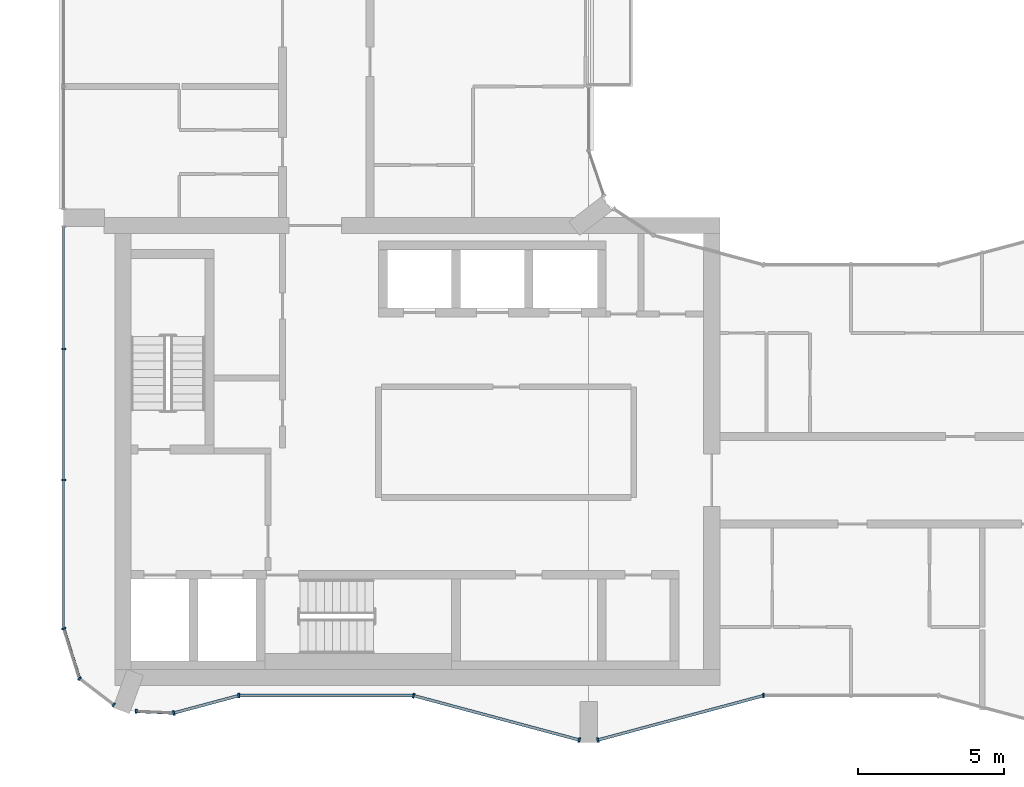
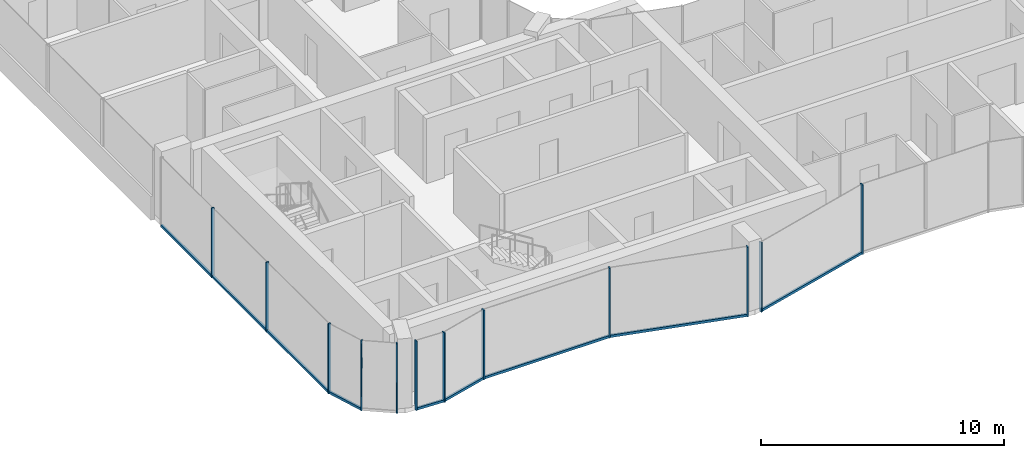
# One storey, part 2 of 15: 19 members, 9 elements without a shape of their own.
"""IFC4 building model written with IfcOpenShell, lengths in metres."""

from ifc_helpers import new_model, si_unit, direction, frame, origin, origin_2d, place, context, subcontext, project, spatial, rectangle, extrude, material, layer, layer_set, material_profile, profile_set, type_object, element, aggregate, save


model = new_model("IFC4")

# Units and contexts
model_context = context("Model", 3, precision=1e-05, world=origin(), true_north=direction((0.0, 1.0)))
body_context = subcontext(model_context, "Body", "Model", "MODEL_VIEW")
ifc_project = project(units=[si_unit("LENGTHUNIT", "METRE"), si_unit("AREAUNIT", "SQUARE_METRE"), si_unit("VOLUMEUNIT", "CUBIC_METRE"), si_unit("PLANEANGLEUNIT", "RADIAN"), si_unit("MASSUNIT", "GRAM", prefix="KILO")], contexts=[model_context])

# Site, building, storey
site_placement = place(None, origin())
site = spatial("IfcSite", under=ifc_project, at=site_placement, CompositionType="ELEMENT")
building_placement = place(site_placement, origin())
building = spatial("IfcBuilding", under=site, at=building_placement, Name="Plateau Cross Towers", CompositionType="ELEMENT")
storey_placement = place(building_placement, frame((0.0, 0.0, 204.89990234375)))
storey = spatial("IfcBuildingStorey", under=building, at=storey_placement, Name="L53", CompositionType="ELEMENT", Elevation=204.89990234375)

# Curtain wall, members
ifc_material_1 = material(Name="Dark low-iron glass", Category="glass")
ifc_layer_1 = layer(ifc_material_1, 0.239990234375)
ifc_layer_set_1 = layer_set([ifc_layer_1], Name="Dark low-iron glass")
curtain_wall_type_1 = type_object("IfcCurtainWallType", Name="Curtain wall flush unitised CW-B", PredefinedType="NOTDEFINED", material=ifc_layer_set_1)
curtain_wall_1_placement = place(storey_placement, origin())
curtain_wall_1 = element("IfcCurtainWall", 1, at=curtain_wall_1_placement, inside=storey, type_object=curtain_wall_type_1, Name="ENV/A/L53/A0_177", PredefinedType="NOTDEFINED")
ifc_material_2 = material(Name="Black anodised aluminium", Category="aluminium")
ifc_material_profile_1 = material_profile(ifc_material_2, rectangle(XDim=0.06005859375, YDim=0.139892578125, at=origin_2d()), Name="MULLION 60x140")
ifc_profile_set_1 = profile_set([ifc_material_profile_1], Name="Black anodised aluminium")
member_type_1 = type_object("IfcMemberType", Name="Mullion 60x140 flush unitised", PredefinedType="MULLION", material=ifc_profile_set_1)
member_1_placement = place(storey_placement, frame((0.0, 13.5, -0.25), z_axis=(0.0, 0.0, 1.0), x_axis=(0.0, -1.0, 0.0)))
member_1 = element("IfcMember", 2, at=member_1_placement, type_object=member_type_1, Name="CW-B mullion 2", PredefinedType="MULLION", context=body_context, shape_type="SweptSolid", body=[
    extrude(rectangle(XDim=0.06005859375, YDim=0.139892578125, at=origin_2d()), origin(), (0.0, 0.0, 1.0), 3.5),
])
member_2_placement = place(storey_placement, frame((0.0, 9.0, -0.25), z_axis=(0.0, 0.0, 1.0), x_axis=(0.0, -1.0, 0.0)))
member_2 = element("IfcMember", 3, at=member_2_placement, type_object=member_type_1, Name="CW-B mullion 3", PredefinedType="MULLION", context=body_context, shape_type="SweptSolid", body=[
    extrude(rectangle(XDim=0.06005859375, YDim=0.139892578125, at=origin_2d()), origin(), (0.0, 0.0, 1.0), 3.5),
])

# Curtain wall, member
curtain_wall_2_placement = place(storey_placement, origin())
curtain_wall_2 = element("IfcCurtainWall", 4, at=curtain_wall_2_placement, inside=storey, type_object=curtain_wall_type_1, Name="ENV/A/L53/A0_39", PredefinedType="NOTDEFINED")
member_3_placement = place(storey_placement, frame((0.0, 3.9091796875, -0.25), z_axis=(0.0, 0.0, 1.0), x_axis=(0.300686174994, -0.95372313811, 0.0)))
member_3 = element("IfcMember", 5, at=member_3_placement, type_object=member_type_1, Name="CW-B mullion 1", PredefinedType="MULLION", context=body_context, shape_type="SweptSolid", body=[
    extrude(rectangle(XDim=0.06005859375, YDim=0.139892578125, at=origin_2d()), origin(), (0.0, 0.0, 1.0), 3.5),
])

# Curtain wall, members
curtain_wall_3_placement = place(storey_placement, origin())
curtain_wall_3 = element("IfcCurtainWall", 6, at=curtain_wall_3_placement, inside=storey, type_object=curtain_wall_type_1, Name="ENV/A/L53/A5_22", PredefinedType="NOTDEFINED")
member_4_placement = place(storey_placement, frame((0.54248046875, 2.1884765625, -0.25), z_axis=(0.0, 0.0, 1.0), x_axis=(0.793315514529, -0.608810721331, 0.0)))
member_4 = element("IfcMember", 7, at=member_4_placement, type_object=member_type_1, Name="CW-B mullion 1", PredefinedType="MULLION", context=body_context, shape_type="SweptSolid", body=[
    extrude(rectangle(XDim=0.06005859375, YDim=0.139892578125, at=origin_2d()), origin(), (0.0, 0.0, 1.0), 3.5),
])
member_5_placement = place(storey_placement, frame((1.709716796875, 1.292724609375, -0.25), z_axis=(0.0, 0.0, 1.0), x_axis=(0.793315514529, -0.608810721331, 0.0)))
member_5 = element("IfcMember", 8, at=member_5_placement, type_object=member_type_1, Name="CW-B mullion 2", PredefinedType="MULLION", context=body_context, shape_type="SweptSolid", body=[
    extrude(rectangle(XDim=0.06005859375, YDim=0.139892578125, at=origin_2d()), origin(), (0.0, 0.0, 1.0), 3.5),
])
aggregate(curtain_wall_3, [member_4, member_5])

# Curtain wall, member
curtain_wall_4_placement = place(storey_placement, origin())
curtain_wall_4 = element("IfcCurtainWall", 9, at=curtain_wall_4_placement, inside=storey, type_object=curtain_wall_type_1, Name="ENV/A/L53/A25_11", PredefinedType="NOTDEFINED")
member_6_placement = place(storey_placement, frame((2.483642578125, 1.06787109375, -0.25), z_axis=(0.0, 0.0, 1.0), x_axis=(0.999043701491, -0.043722791671, 0.0)))
member_6 = element("IfcMember", 10, at=member_6_placement, type_object=member_type_1, Name="CW-B mullion 1", PredefinedType="MULLION", context=body_context, shape_type="SweptSolid", body=[
    extrude(rectangle(XDim=0.06005859375, YDim=0.139892578125, at=origin_2d()), origin(), (0.0, 0.0, 1.0), 3.5),
])

ifc_layer_2 = layer(ifc_material_1, 0.260009765625)
ifc_layer_set_2 = layer_set([ifc_layer_2], Name="Dark low-iron glass")
curtain_wall_type_2 = type_object("IfcCurtainWallType", Name="Curtain wall fluted unitised CW-A", PredefinedType="NOTDEFINED", material=ifc_layer_set_2)
curtain_wall_5_placement = place(storey_placement, origin())
curtain_wall_5 = element("IfcCurtainWall", 11, at=curtain_wall_5_placement, inside=storey, type_object=curtain_wall_type_2, Name="ENV/A/L53/A38_10", PredefinedType="NOTDEFINED")
ifc_material_profile_2 = material_profile(ifc_material_2, rectangle(XDim=0.06005859375, YDim=0.159912109375, at=origin_2d()), Name="MULLION 60x160")
ifc_profile_set_2 = profile_set([ifc_material_profile_2], Name="Black anodised aluminium")
member_type_2 = type_object("IfcMemberType", Name="Mullion 60x160 fluted unitised", PredefinedType="MULLION", material=ifc_profile_set_2)
member_7_placement = place(storey_placement, frame((3.776123046875, 1.01123046875, -0.25), z_axis=(0.0, 0.0, 1.0), x_axis=(0.965957962328, 0.258699081978, 0.0)))
member_7 = element("IfcMember", 12, at=member_7_placement, type_object=member_type_2, Name="CW-A mullion 1", PredefinedType="MULLION", context=body_context, shape_type="SweptSolid", body=[
    extrude(rectangle(XDim=0.06005859375, YDim=0.159912109375, at=origin_2d()), origin(), (0.0, 0.0, 1.0), 3.5),
])

curtain_wall_6_placement = place(storey_placement, origin())
curtain_wall_6 = element("IfcCurtainWall", 13, at=curtain_wall_6_placement, inside=storey, type_object=curtain_wall_type_2, Name="ENV/A/L53/A60_16", PredefinedType="NOTDEFINED")
member_8_placement = place(storey_placement, frame((6.0, 1.60693359375, -0.25), z_axis=(0.0, 0.0, 1.0), x_axis=(1.0, 0.0, 0.0)))
member_8 = element("IfcMember", 14, at=member_8_placement, type_object=member_type_2, Name="CW-A mullion 1", PredefinedType="MULLION", context=body_context, shape_type="SweptSolid", body=[
    extrude(rectangle(XDim=0.06005859375, YDim=0.159912109375, at=origin_2d()), origin(), (0.0, 0.0, 1.0), 3.5),
])

# Curtain wall, members
curtain_wall_7_placement = place(storey_placement, origin())
curtain_wall_7 = element("IfcCurtainWall", 15, at=curtain_wall_7_placement, inside=storey, type_object=curtain_wall_type_2, Name="ENV/A/L53/A120_16", PredefinedType="NOTDEFINED")
member_9_placement = place(storey_placement, frame((12.0, 1.60693359375, -0.25), z_axis=(0.0, 0.0, 1.0), x_axis=(0.965957983404, -0.258699003279, 0.0)))
member_9 = element("IfcMember", 16, at=member_9_placement, type_object=member_type_2, Name="CW-A mullion 1", PredefinedType="MULLION", context=body_context, shape_type="SweptSolid", body=[
    extrude(rectangle(XDim=0.06005859375, YDim=0.159912109375, at=origin_2d()), origin(), (0.0, 0.0, 1.0), 3.5),
])
member_10_placement = place(storey_placement, frame((17.68212890625, 0.085205078125, -0.25), z_axis=(0.0, 0.0, 1.0), x_axis=(0.965957983404, -0.258699003279, 0.0)))
member_10 = element("IfcMember", 17, at=member_10_placement, type_object=member_type_2, Name="CW-A mullion 2", PredefinedType="MULLION", context=body_context, shape_type="SweptSolid", body=[
    extrude(rectangle(XDim=0.06005859375, YDim=0.159912109375, at=origin_2d()), origin(), (0.0, 0.0, 1.0), 3.5),
])

# Curtain wall, member
curtain_wall_8_placement = place(storey_placement, origin())
curtain_wall_8 = element("IfcCurtainWall", 18, at=curtain_wall_8_placement, inside=storey, type_object=curtain_wall_type_2, Name="ENV/A/L53/A183_1", PredefinedType="NOTDEFINED")
member_11_placement = place(storey_placement, frame((18.31787109375, 0.085205078125, -0.25), z_axis=(0.0, 0.0, 1.0), x_axis=(0.965957983404, 0.258699003279, 0.0)))
member_11 = element("IfcMember", 19, at=member_11_placement, type_object=member_type_2, Name="CW-A mullion 1", PredefinedType="MULLION", context=body_context, shape_type="SweptSolid", body=[
    extrude(rectangle(XDim=0.06005859375, YDim=0.159912109375, at=origin_2d()), origin(), (0.0, 0.0, 1.0), 3.5),
])

curtain_wall_9_placement = place(storey_placement, origin())
curtain_wall_9 = element("IfcCurtainWall", 20, at=curtain_wall_9_placement, inside=storey, type_object=curtain_wall_type_2, Name="ENV/A/L53/A240_16", PredefinedType="NOTDEFINED")
member_12_placement = place(storey_placement, frame((24.0, 1.60693359375, -0.25), z_axis=(0.0, 0.0, 1.0), x_axis=(1.0, 0.0, 0.0)))
member_12 = element("IfcMember", 21, at=member_12_placement, type_object=member_type_2, Name="CW-A mullion 1", PredefinedType="MULLION", context=body_context, shape_type="SweptSolid", body=[
    extrude(rectangle(XDim=0.06005859375, YDim=0.159912109375, at=origin_2d()), origin(), (0.0, 0.0, 1.0), 3.5),
])
aggregate(curtain_wall_9, [member_12])

# Member
ifc_material_profile_3 = material_profile(ifc_material_2, rectangle(XDim=0.10009765625, YDim=0.1201171875, at=origin_2d()), Name="TRANSOM 100x120")
ifc_profile_set_3 = profile_set([ifc_material_profile_3], Name="Black anodised aluminium")
member_type_3 = type_object("IfcMemberType", Name="Transom 100x120 flush unitised", PredefinedType="USERDEFINED", material=ifc_profile_set_3)
member_13_placement = place(storey_placement, frame((0.0, 17.699951171875, -0.18994140625), z_axis=(0.0, -1.0, 0.0), x_axis=(1.0, 0.0, 0.0)))
member_13 = element("IfcMember", 22, at=member_13_placement, type_object=member_type_3, Name="CW-B transom", ObjectType="TRANSOM", PredefinedType="USERDEFINED", context=body_context, shape_type="SweptSolid", body=[
    extrude(rectangle(XDim=0.10009765625, YDim=0.1201171875, at=origin_2d()), origin(), (0.0, 0.0, 1.0), 13.790771484375),
])

aggregate(curtain_wall_1, [member_1, member_2, member_13])

member_14_placement = place(storey_placement, frame((0.0, 3.9091796875, -0.18994140625), z_axis=(0.30067799945, -0.953725715626, 0.0), x_axis=(0.953725715626, 0.30067799945, 0.0)))
member_14 = element("IfcMember", 23, at=member_14_placement, type_object=member_type_3, Name="CW-B transom", ObjectType="TRANSOM", PredefinedType="USERDEFINED", context=body_context, shape_type="SweptSolid", body=[
    extrude(rectangle(XDim=0.10009765625, YDim=0.1201171875, at=origin_2d()), origin(), (0.0, 0.0, 1.0), 1.80419921875),
])

aggregate(curtain_wall_2, [member_3, member_14])

member_15_placement = place(storey_placement, frame((2.483642578125, 1.06787109375, -0.18994140625), z_axis=(0.999041144614, -0.043781175963, 0.0), x_axis=(0.043781175963, 0.999041144614, 0.0)))
member_15 = element("IfcMember", 24, at=member_15_placement, type_object=member_type_3, Name="CW-B transom", ObjectType="TRANSOM", PredefinedType="USERDEFINED", context=body_context, shape_type="SweptSolid", body=[
    extrude(rectangle(XDim=0.10009765625, YDim=0.1201171875, at=origin_2d()), origin(), (0.0, 0.0, 1.0), 1.293701171875),
])

aggregate(curtain_wall_4, [member_6, member_15])

ifc_material_profile_4 = material_profile(ifc_material_2, rectangle(XDim=0.10009765625, YDim=0.1201171875, at=origin_2d()), Name="TRANSOM 100x120")
ifc_profile_set_4 = profile_set([ifc_material_profile_4], Name="Black anodised aluminium")
member_type_4 = type_object("IfcMemberType", Name="Transom 100x120 fluted unitised", PredefinedType="USERDEFINED", material=ifc_profile_set_4)
member_16_placement = place(storey_placement, frame((3.776123046875, 1.01123046875, -0.18994140625), z_axis=(0.965945685136, 0.258744919501, 0.0), x_axis=(-0.258744919501, 0.965945685136, 0.0)))
member_16 = element("IfcMember", 25, at=member_16_placement, type_object=member_type_4, Name="CW-A transom", ObjectType="TRANSOM", PredefinedType="USERDEFINED", context=body_context, shape_type="SweptSolid", body=[
    extrude(rectangle(XDim=0.10009765625, YDim=0.1201171875, at=origin_2d()), origin(), (0.0, 0.0, 1.0), 2.30224609375),
])

aggregate(curtain_wall_5, [member_7, member_16])

member_17_placement = place(storey_placement, frame((6.0, 1.60693359375, -0.18994140625), z_axis=(1.0, 0.0, 0.0), x_axis=(0.0, 1.0, 0.0)))
member_17 = element("IfcMember", 26, at=member_17_placement, type_object=member_type_4, Name="CW-A transom", ObjectType="TRANSOM", PredefinedType="USERDEFINED", context=body_context, shape_type="SweptSolid", body=[
    extrude(rectangle(XDim=0.10009765625, YDim=0.1201171875, at=origin_2d()), origin(), (0.0, 0.0, 1.0), 6.0),
])

aggregate(curtain_wall_6, [member_8, member_17])

member_18_placement = place(storey_placement, frame((12.0, 1.60693359375, -0.18994140625), z_axis=(0.965959534794, -0.258693210465, 0.0), x_axis=(0.258693210465, 0.965959534794, 0.0)))
member_18 = element("IfcMember", 27, at=member_18_placement, type_object=member_type_4, Name="CW-A transom", ObjectType="TRANSOM", PredefinedType="USERDEFINED", context=body_context, shape_type="SweptSolid", body=[
    extrude(rectangle(XDim=0.10009765625, YDim=0.1201171875, at=origin_2d()), origin(), (0.0, 0.0, 1.0), 5.88232421875),
])

aggregate(curtain_wall_7, [member_9, member_10, member_18])

member_19_placement = place(storey_placement, frame((18.31787109375, 0.085205078125, -0.18994140625), z_axis=(0.965959534794, 0.258693210465, 0.0), x_axis=(-0.258693210465, 0.965959534794, 0.0)))
member_19 = element("IfcMember", 28, at=member_19_placement, type_object=member_type_4, Name="CW-A transom", ObjectType="TRANSOM", PredefinedType="USERDEFINED", context=body_context, shape_type="SweptSolid", body=[
    extrude(rectangle(XDim=0.10009765625, YDim=0.1201171875, at=origin_2d()), origin(), (0.0, 0.0, 1.0), 5.88232421875),
])

aggregate(curtain_wall_8, [member_11, member_19])

save(model, "model.ifc")
